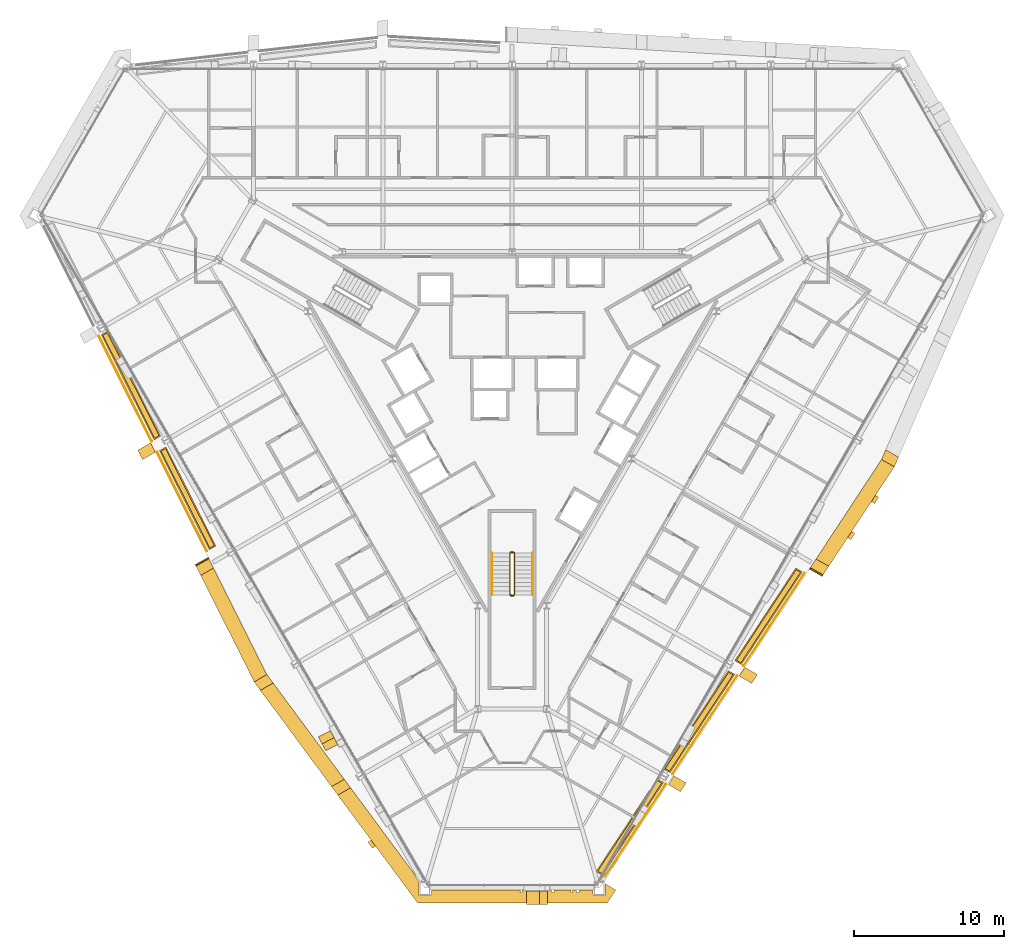
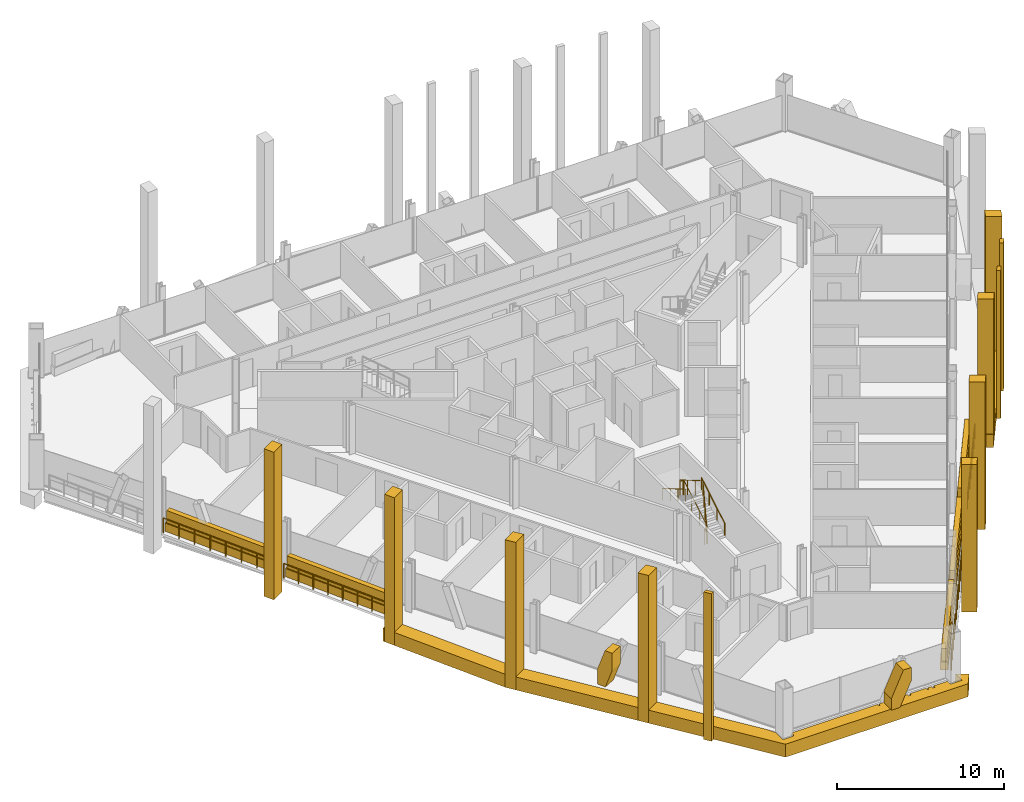
# One storey, part 17 of 19: 29 coverings, 8 railings.
"""IFC4 building model written with IfcOpenShell, lengths in metres."""

from ifc_helpers import new_model, si_unit, direction, frame, origin, origin_2d, place, context, subcontext, project, spatial, polyline, circle, outline, extrude, material, layer, layer_set, type_object, element, save


model = new_model("IFC4")

# Units and contexts
model_context = context("Model", 3, precision=1e-05, world=origin(), true_north=direction((0.0, 1.0)))
body_context = subcontext(model_context, "Body", "Model", "MODEL_VIEW")
ifc_project = project(units=[si_unit("LENGTHUNIT", "METRE"), si_unit("AREAUNIT", "SQUARE_METRE"), si_unit("VOLUMEUNIT", "CUBIC_METRE"), si_unit("PLANEANGLEUNIT", "RADIAN"), si_unit("MASSUNIT", "GRAM", prefix="KILO")], contexts=[model_context])

# Site, building, storey
site_placement = place(None, origin())
site = spatial("IfcSite", under=ifc_project, at=site_placement, CompositionType="ELEMENT")
building_placement = place(site_placement, origin())
building = spatial("IfcBuilding", under=site, at=building_placement, Name="Verrane Prism Tower", CompositionType="ELEMENT")
storey_placement = place(building_placement, frame((0.0, 0.0, 76.39990234375)))
storey = spatial("IfcBuildingStorey", under=building, at=storey_placement, Name="L17", CompositionType="ELEMENT", Elevation=76.39990234375)

# Coverings
ifc_material_1 = material(Name="Planting medium in stone kerb", Category="masonry")
covering_type_1 = type_object("IfcCoveringType", Name="Planter bed 600", PredefinedType="USERDEFINED", material=ifc_material_1)
covering_1_placement = place(storey_placement, origin())
element("IfcCovering", 1, at=covering_1_placement, inside=storey, type_object=covering_type_1, Name="Loggia planter SW2 L17", ObjectType="PLANTER", PredefinedType="USERDEFINED", context=body_context, shape_type="SweptSolid", body=[
    extrude(outline(polyline([(-27.396484375, 3.6552734375), (-23.87744140625, -3.3564453125), (-23.4443359375, -3.1064453125), (-26.96337890625, 3.9052734375), (-27.396484375, 3.6552734375)])), origin(), (0.0, 0.0, 1.0), 0.60009765625),
])
covering_2_placement = place(storey_placement, origin())
element("IfcCovering", 2, at=covering_2_placement, inside=storey, type_object=covering_type_1, Name="Loggia planter SW3 L17", ObjectType="PLANTER", PredefinedType="USERDEFINED", context=body_context, shape_type="SweptSolid", body=[
    extrude(outline(polyline([(-23.517822265625, -4.07275390625), (-20.200927734375, -10.681640625), (-19.76806640625, -10.431640625), (-23.0849609375, -3.82275390625), (-23.517822265625, -4.07275390625)])), origin(), (0.0, 0.0, 1.0), 0.60009765625),
])
covering_3_placement = place(storey_placement, origin())
element("IfcCovering", 3, at=covering_3_placement, inside=storey, type_object=covering_type_1, Name="Loggia planter SE1 L17", ObjectType="PLANTER", PredefinedType="USERDEFINED", context=body_context, shape_type="SweptSolid", body=[
    extrude(outline(polyline([(6.02734375, -32.39990234375), (10.09228515625, -26.222900390625), (9.6591796875, -25.972900390625), (5.59423828125, -32.14990234375), (6.02734375, -32.39990234375)])), origin(), (0.0, 0.0, 1.0), 0.60009765625),
])
covering_4_placement = place(storey_placement, origin())
element("IfcCovering", 4, at=covering_4_placement, inside=storey, type_object=covering_type_1, Name="Loggia planter SE2 L17", ObjectType="PLANTER", PredefinedType="USERDEFINED", context=body_context, shape_type="SweptSolid", body=[
    extrude(outline(polyline([(10.53271484375, -25.5537109375), (14.845458984375, -19.000244140625), (14.41259765625, -18.750244140625), (10.099853515625, -25.3037109375), (10.53271484375, -25.5537109375)])), origin(), (0.0, 0.0, 1.0), 0.60009765625),
])
covering_5_placement = place(storey_placement, origin())
element("IfcCovering", 5, at=covering_5_placement, inside=storey, type_object=covering_type_1, Name="Loggia planter SE3 L17", ObjectType="PLANTER", PredefinedType="USERDEFINED", context=body_context, shape_type="SweptSolid", body=[
    extrude(outline(polyline([(15.2861328125, -18.330810546875), (19.35107421875, -12.15380859375), (18.91796875, -11.90380859375), (14.85302734375, -18.080810546875), (15.2861328125, -18.330810546875)])), origin(), (0.0, 0.0, 1.0), 0.60009765625),
])
ifc_material_2 = material(Name="Planted shrubs and grasses", Category="other")
covering_type_2 = type_object("IfcCoveringType", Name="Planting mass 1000", PredefinedType="USERDEFINED", material=ifc_material_2)
covering_6_placement = place(storey_placement, frame((0.0, 0.0, 0.60009765625)))
element("IfcCovering", 6, at=covering_6_placement, inside=storey, type_object=covering_type_2, Name="Loggia planting SW2 L17", ObjectType="PLANTING", PredefinedType="USERDEFINED", context=body_context, shape_type="SweptSolid", body=[
    extrude(outline(polyline([(-23.843994140625, -3.244873046875), (-23.5498046875, -3.074951171875), (-26.996826171875, 3.79345703125), (-27.291015625, 3.62353515625), (-23.843994140625, -3.244873046875)])), origin(), (0.0, 0.0, 1.0), 0.89990234375),
])
covering_7_placement = place(storey_placement, frame((0.0, 0.0, 0.60009765625)))
element("IfcCovering", 7, at=covering_7_placement, inside=storey, type_object=covering_type_2, Name="Loggia planting SW3 L17", ObjectType="PLANTING", PredefinedType="USERDEFINED", context=body_context, shape_type="SweptSolid", body=[
    extrude(outline(polyline([(-20.16748046875, -10.56982421875), (-19.873291015625, -10.39990234375), (-23.118408203125, -3.9345703125), (-23.41259765625, -4.1044921875), (-20.16748046875, -10.56982421875)])), origin(), (0.0, 0.0, 1.0), 0.89990234375),
])
covering_8_placement = place(storey_placement, frame((0.0, 0.0, 0.60009765625)))
element("IfcCovering", 8, at=covering_8_placement, inside=storey, type_object=covering_type_2, Name="Loggia planting SE1 L17", ObjectType="PLANTING", PredefinedType="USERDEFINED", context=body_context, shape_type="SweptSolid", body=[
    extrude(outline(polyline([(9.978759765625, -26.25), (9.6845703125, -26.080078125), (5.707763671875, -32.123046875), (6.001953125, -32.29296875), (9.978759765625, -26.25)])), origin(), (0.0, 0.0, 1.0), 0.89990234375),
])
covering_9_placement = place(storey_placement, frame((0.0, 0.0, 0.60009765625)))
element("IfcCovering", 9, at=covering_9_placement, inside=storey, type_object=covering_type_2, Name="Loggia planting SE2 L17", ObjectType="PLANTING", PredefinedType="USERDEFINED", context=body_context, shape_type="SweptSolid", body=[
    extrude(outline(polyline([(14.73193359375, -19.027099609375), (14.437744140625, -18.857177734375), (10.21337890625, -25.276611328125), (10.507568359375, -25.446533203125), (14.73193359375, -19.027099609375)])), origin(), (0.0, 0.0, 1.0), 0.89990234375),
])
covering_10_placement = place(storey_placement, frame((0.0, 0.0, 0.60009765625)))
element("IfcCovering", 10, at=covering_10_placement, inside=storey, type_object=covering_type_2, Name="Loggia planting SE3 L17", ObjectType="PLANTING", PredefinedType="USERDEFINED", context=body_context, shape_type="SweptSolid", body=[
    extrude(outline(polyline([(19.237548828125, -12.1806640625), (18.943359375, -12.0107421875), (14.966552734375, -18.0537109375), (15.2607421875, -18.2236328125), (19.237548828125, -12.1806640625)])), origin(), (0.0, 0.0, 1.0), 0.89990234375),
])

# Railings
ifc_material_3 = material(Name="Steel A36 rail and posts, no infill", Category="steel")
railing_type_1 = type_object("IfcRailingType", Name="Stair guard 1100 steel rail and posts", PredefinedType="GUARDRAIL", material=ifc_material_3)
railing_1_placement = place(storey_placement, frame((0.14990234375, -13.699951171875, 0.163818359375)))
element("IfcRailing", 11, at=railing_1_placement, inside=storey, type_object=railing_type_1, Name="Stair 3 guard", PredefinedType="GUARDRAIL", context=body_context, shape_type="SweptSolid", body=[
    extrude(circle(Radius=0.02392578125, at=origin_2d()), frame((0.0, 0.0, 1.076171875), z_axis=(0.0, 0.863393664356, 0.504530851732), x_axis=(-1.0, 0.0, 0.0)), (0.0, 0.0, 1.0), 3.2431640625),
    extrude(circle(Radius=0.02392578125, at=origin_2d()), frame((0.0, 2.800048828125, 2.71240234375), z_axis=(-0.707106781187, 0.707106781187, 0.0), x_axis=(-0.707106781187, -0.707106781187, 0.0)), (0.0, 0.0, 1.0), 0.0703125),
    extrude(circle(Radius=0.02392578125, at=origin_2d()), frame((-0.0498046875, 2.849853515625, 2.71240234375), z_axis=(-1.0, 0.0, 0.0), x_axis=(0.0, -1.0, 0.0)), (0.0, 0.0, 1.0), 0.2001953125),
    extrude(circle(Radius=0.02392578125, at=origin_2d()), frame((-0.25, 2.849853515625, 2.71240234375), z_axis=(-0.279653641804, -0.279653641804, 0.918470294159), x_axis=(0.707106781187, -0.707106781187, 0.0)), (0.0, 0.0, 1.0), 0.177978515625),
    extrude(circle(Radius=0.02392578125, at=origin_2d()), frame((-0.2998046875, 2.800048828125, 2.8759765625), z_axis=(0.0, -0.863360870873, 0.504586966384), x_axis=(1.0, 0.0, 0.0)), (0.0, 0.0, 1.0), 3.2431640625),
    extrude(circle(Radius=0.02392578125, at=origin_2d()), frame((-0.2998046875, 0.0, 4.51220703125), z_axis=(0.069269067181, -0.013867342551, -0.997501625634), x_axis=(0.196300278283, 0.98054382908, 0.0)), (0.0, 0.0, 1.0), 3.609130859375),
    extrude(circle(Radius=0.02392578125, at=origin_2d()), frame((-0.0498046875, -0.050048828125, 0.912109375), z_axis=(-1.0, 0.0, 0.0), x_axis=(0.0, -1.0, 0.0)), (0.0, 0.0, 1.0), 0.2001953125),
    extrude(circle(Radius=0.02099609375, at=origin_2d()), origin(), (0.0, 0.0, 1.0), 1.052001953125),
    extrude(circle(Radius=0.02099609375, at=origin_2d()), frame((0.0, 0.933349609375, 0.54541015625)), (0.0, 0.0, 1.0), 1.052001953125),
    extrude(circle(Radius=0.02099609375, at=origin_2d()), frame((0.0, 1.86669921875, 1.0908203125)), (0.0, 0.0, 1.0), 1.052001953125),
    extrude(circle(Radius=0.02099609375, at=origin_2d()), frame((0.0, 2.800048828125, 1.63623046875)), (0.0, 0.0, 1.0), 1.052001953125),
    extrude(circle(Radius=0.02099609375, at=origin_2d()), frame((-0.0498046875, 2.849853515625, 1.63623046875)), (0.0, 0.0, 1.0), 1.052001953125),
    extrude(circle(Radius=0.02099609375, at=origin_2d()), frame((-0.25, 2.849853515625, 1.63623046875)), (0.0, 0.0, 1.0), 1.052001953125),
    extrude(circle(Radius=0.02099609375, at=origin_2d()), frame((-0.2998046875, 2.800048828125, 1.7998046875)), (0.0, 0.0, 1.0), 1.052001953125),
    extrude(circle(Radius=0.02099609375, at=origin_2d()), frame((-0.2998046875, 1.86669921875, 2.34521484375)), (0.0, 0.0, 1.0), 1.052001953125),
    extrude(circle(Radius=0.02099609375, at=origin_2d()), frame((-0.2998046875, 0.933349609375, 2.890869140625)), (0.0, 0.0, 1.0), 1.052001953125),
    extrude(circle(Radius=0.02099609375, at=origin_2d()), frame((-0.2998046875, 0.0, 3.436279296875)), (0.0, 0.0, 1.0), 1.052001953125),
    extrude(circle(Radius=0.02099609375, at=origin_2d()), frame((-0.2373046875, -0.012451171875, 2.5361328125)), (0.0, 0.0, 1.0), 1.052001953125),
    extrude(circle(Radius=0.02099609375, at=origin_2d()), frame((-0.1748046875, -0.02490234375, 1.63623046875)), (0.0, 0.0, 1.0), 1.052001953125),
    extrude(circle(Radius=0.02099609375, at=origin_2d()), frame((-0.1123046875, -0.03759765625, 0.736328125)), (0.0, 0.0, 1.0), 1.052001953125),
    extrude(circle(Radius=0.02099609375, at=origin_2d()), frame((-0.0498046875, -0.050048828125, -0.163818359375)), (0.0, 0.0, 1.0), 1.052001953125),
    extrude(circle(Radius=0.02099609375, at=origin_2d()), frame((-0.25, -0.050048828125, -0.163818359375)), (0.0, 0.0, 1.0), 1.052001953125),
])
ifc_material_4 = material(Name="Steel A36 tube", Category="steel")
railing_type_2 = type_object("IfcRailingType", Name="Stair handrail 900 steel tube", PredefinedType="HANDRAIL", material=ifc_material_4)
railing_2_placement = place(storey_placement, frame((1.35009765625, -13.699951171875, 0.163818359375)))
element("IfcRailing", 12, at=railing_2_placement, inside=storey, type_object=railing_type_2, Name="Stair 3 handrail", PredefinedType="HANDRAIL", context=body_context, shape_type="SweptSolid", body=[
    extrude(circle(Radius=0.02392578125, at=origin_2d()), frame((0.0, 0.0, 0.8759765625), z_axis=(0.0, 0.863393664356, 0.504530851732), x_axis=(-1.0, 0.0, 0.0)), (0.0, 0.0, 1.0), 3.2431640625),
    extrude(circle(Radius=0.02099609375, at=origin_2d()), origin(), (0.0, 0.0, 1.0), 0.851806640625),
    extrude(circle(Radius=0.02099609375, at=origin_2d()), frame((0.0, 0.933349609375, 0.54541015625)), (0.0, 0.0, 1.0), 0.851806640625),
    extrude(circle(Radius=0.02099609375, at=origin_2d()), frame((0.0, 1.86669921875, 1.0908203125)), (0.0, 0.0, 1.0), 0.851806640625),
    extrude(circle(Radius=0.02099609375, at=origin_2d()), frame((0.0, 2.800048828125, 1.63623046875)), (0.0, 0.0, 1.0), 0.851806640625),
])
railing_3_placement = place(storey_placement, frame((-1.35009765625, -10.89990234375, 1.963623046875)))
element("IfcRailing", 13, at=railing_3_placement, inside=storey, type_object=railing_type_2, Name="Stair 3 handrail", PredefinedType="HANDRAIL", context=body_context, shape_type="SweptSolid", body=[
    extrude(circle(Radius=0.02392578125, at=origin_2d()), frame((0.0, 0.0, 0.8759765625), z_axis=(0.0, -0.863360870873, 0.504586966384), x_axis=(1.0, 0.0, 0.0)), (0.0, 0.0, 1.0), 3.2431640625),
    extrude(circle(Radius=0.02099609375, at=origin_2d()), origin(), (0.0, 0.0, 1.0), 0.851806640625),
    extrude(circle(Radius=0.02099609375, at=origin_2d()), frame((0.0, -0.933349609375, 0.54541015625)), (0.0, 0.0, 1.0), 0.851806640625),
    extrude(circle(Radius=0.02099609375, at=origin_2d()), frame((0.0, -1.86669921875, 1.091064453125)), (0.0, 0.0, 1.0), 0.851806640625),
    extrude(circle(Radius=0.02099609375, at=origin_2d()), frame((0.0, -2.800048828125, 1.636474609375)), (0.0, 0.0, 1.0), 0.851806640625),
])

# Coverings
ifc_material_5 = material(Name="Warm limestone cladding", Category="masonry")
ifc_layer_1 = layer(ifc_material_5, 0.89990234375)
ifc_layer_set_1 = layer_set([ifc_layer_1], Name="Stone brace fin 900")
covering_type_3 = type_object("IfcCoveringType", Name="Stone brace fin 900", PredefinedType="CLADDING", material=ifc_layer_set_1)
covering_11_placement = place(storey_placement, frame((-12.52001953125, -22.956787109375, 0.0), z_axis=(0.0, 0.0, 1.0), x_axis=(0.45783351905, -0.889037945666, 0.0)))
element("IfcCovering", 14, at=covering_11_placement, inside=storey, type_object=covering_type_3, Name="Stone brace fin SW5 L17", PredefinedType="CLADDING", context=body_context, shape_type="SweptSolid", body=[
    extrude(outline(polyline([(1.04541015625, 2.650146484375), (0.52880859375, 2.650146484375), (0.0, 1.12841796875), (0.0, 0.0), (0.560791015625, 0.0), (1.04541015625, 1.394775390625), (1.04541015625, 2.650146484375)])), frame((0.0, 0.449951171875, 0.0), z_axis=(0.0, -1.0, 0.0), x_axis=(1.0, 0.0, 0.0)), (0.0, 0.0, 1.0), 0.89990234375),
])
covering_12_placement = place(storey_placement, frame((0.96923828125, -33.8876953125, 0.0), z_axis=(0.0, 0.0, 1.0), x_axis=(1.0, 0.0, 0.0)))
element("IfcCovering", 15, at=covering_12_placement, inside=storey, type_object=covering_type_3, Name="Stone brace fin S1 L17", PredefinedType="CLADDING", context=body_context, shape_type="SweptSolid", body=[
    extrude(outline(polyline([(1.38720703125, 2.650146484375), (0.841552734375, 2.650146484375), (0.0, 0.828125), (0.0, 0.0), (0.60888671875, 0.0), (1.38720703125, 1.684814453125), (1.38720703125, 2.650146484375)])), frame((0.0, 0.449951171875, 0.0), z_axis=(0.0, -1.0, 0.0), x_axis=(1.0, 0.0, 0.0)), (0.0, 0.0, 1.0), 0.89990234375),
])
ifc_material_6 = material(Name="Warm limestone cladding", Category="masonry")
covering_type_4 = type_object("IfcCoveringType", Name="Stone mullion pier 500", PredefinedType="CLADDING", material=ifc_material_6)
covering_13_placement = place(storey_placement, frame((0.0, 0.0, -0.949951171875)))
element("IfcCovering", 16, at=covering_13_placement, inside=storey, type_object=covering_type_4, Name="Stone pier SM-SW5.1 L17-L19", PredefinedType="CLADDING", context=body_context, shape_type="SweptSolid", body=[
    extrude(outline(polyline([(-9.1044921875, -30.463134765625), (-9.403564453125, -30.05859375), (-9.62158203125, -30.184326171875), (-9.322265625, -30.5888671875), (-9.1044921875, -30.463134765625)])), origin(), (0.0, 0.0, 1.0), 10.800048828125),
])
covering_14_placement = place(storey_placement, frame((0.0, 0.0, -0.949951171875)))
element("IfcCovering", 17, at=covering_14_placement, inside=storey, type_object=covering_type_4, Name="Stone pier SM-SE3.1 L17-L19", PredefinedType="CLADDING", context=body_context, shape_type="SweptSolid", body=[
    extrude(outline(polyline([(22.6494140625, -9.465576171875), (22.374267578125, -9.884033203125), (22.591064453125, -10.00927734375), (22.866455078125, -9.5908203125), (22.6494140625, -9.465576171875)])), origin(), (0.0, 0.0, 1.0), 10.800048828125),
])
covering_15_placement = place(storey_placement, frame((0.0, 0.0, -0.949951171875)))
element("IfcCovering", 18, at=covering_15_placement, inside=storey, type_object=covering_type_4, Name="Stone pier SM-SE3.2 L17-L19", PredefinedType="CLADDING", context=body_context, shape_type="SweptSolid", body=[
    extrude(outline(polyline([(24.23388671875, -7.05810546875), (23.95849609375, -7.476318359375), (24.175537109375, -7.6015625), (24.45068359375, -7.18310546875), (24.23388671875, -7.05810546875)])), origin(), (0.0, 0.0, 1.0), 10.800048828125),
])
ifc_material_7 = material(Name="Warm limestone cladding", Category="masonry")
covering_type_5 = type_object("IfcCoveringType", Name="Stone pier 700", PredefinedType="CLADDING", material=ifc_material_7)
covering_16_placement = place(storey_placement, frame((0.0, 0.0, -0.949951171875)))
element("IfcCovering", 19, at=covering_16_placement, inside=storey, type_object=covering_type_5, Name="Stone pier PC-SW2 L17-L19", PredefinedType="CLADDING", context=body_context, shape_type="SweptSolid", body=[
    extrude(outline(polyline([(-24.648681640625, -4.66796875), (-23.80029296875, -4.177978515625), (-24.11474609375, -3.55126953125), (-24.963134765625, -4.041259765625), (-24.648681640625, -4.66796875)])), origin(), (0.0, 0.0, 1.0), 10.800048828125),
])
covering_17_placement = place(storey_placement, frame((0.0, 0.0, -0.949951171875)))
element("IfcCovering", 20, at=covering_17_placement, inside=storey, type_object=covering_type_5, Name="Stone pier PC-SW3 L17-L19", PredefinedType="CLADDING", context=body_context, shape_type="SweptSolid", body=[
    extrude(outline(polyline([(-20.770263671875, -12.395751953125), (-19.921630859375, -11.906005859375), (-20.236083984375, -11.279296875), (-21.084716796875, -11.76904296875), (-20.770263671875, -12.395751953125)])), origin(), (0.0, 0.0, 1.0), 10.800048828125),
])
covering_18_placement = place(storey_placement, frame((0.0, 0.0, -0.949951171875)))
element("IfcCovering", 21, at=covering_18_placement, inside=storey, type_object=covering_type_5, Name="Stone pier PC-SW4 L17-L19", PredefinedType="CLADDING", context=body_context, shape_type="SweptSolid", body=[
    extrude(outline(polyline([(-16.7919921875, -20.066162109375), (-15.939453125, -19.573974609375), (-16.35546875, -19.011474609375), (-16.357666015625, -19.007080078125), (-17.2060546875, -19.4970703125), (-17.19189453125, -19.525390625), (-16.7919921875, -20.066162109375)])), origin(), (0.0, 0.0, 1.0), 10.800048828125),
])
covering_19_placement = place(storey_placement, frame((0.0, 0.0, -0.949951171875)))
element("IfcCovering", 22, at=covering_19_placement, inside=storey, type_object=covering_type_5, Name="Stone pier PC-SW5 L17-L19", PredefinedType="CLADDING", context=body_context, shape_type="SweptSolid", body=[
    extrude(outline(polyline([(-11.626953125, -27.051513671875), (-10.7744140625, -26.55908203125), (-11.193359375, -25.992919921875), (-12.0458984375, -26.485107421875), (-11.626953125, -27.051513671875)])), origin(), (0.0, 0.0, 1.0), 10.800048828125),
])
covering_20_placement = place(storey_placement, frame((0.0, 0.0, -0.949951171875)))
element("IfcCovering", 23, at=covering_20_placement, inside=storey, type_object=covering_type_5, Name="Stone pier PC-SE1 L17-L19", PredefinedType="CLADDING", context=body_context, shape_type="SweptSolid", body=[
    extrude(outline(polyline([(10.7802734375, -25.754150390625), (10.605224609375, -26.057373046875), (10.43017578125, -26.3603515625), (11.22802734375, -26.821044921875), (11.613525390625, -26.2353515625), (10.7802734375, -25.754150390625)])), origin(), (0.0, 0.0, 1.0), 10.800048828125),
])
covering_21_placement = place(storey_placement, frame((0.0, 0.0, -0.949951171875)))
element("IfcCovering", 24, at=covering_21_placement, inside=storey, type_object=covering_type_5, Name="Stone pier PC-SE2 L17-L19", PredefinedType="CLADDING", context=body_context, shape_type="SweptSolid", body=[
    extrude(outline(polyline([(16.36669921875, -19.012451171875), (15.518310546875, -18.522705078125), (15.1328125, -19.1083984375), (15.9814453125, -19.59814453125), (16.36669921875, -19.012451171875)])), origin(), (0.0, 0.0, 1.0), 10.800048828125),
])
covering_22_placement = place(storey_placement, frame((0.0, 0.0, -0.949951171875)))
element("IfcCovering", 25, at=covering_22_placement, inside=storey, type_object=covering_type_5, Name="Stone pier PC-SE3 L17-L19", PredefinedType="CLADDING", context=body_context, shape_type="SweptSolid", body=[
    extrude(outline(polyline([(21.1201171875, -11.78955078125), (20.271728515625, -11.2998046875), (19.88623046875, -11.885498046875), (20.734619140625, -12.375244140625), (21.1201171875, -11.78955078125)])), origin(), (0.0, 0.0, 1.0), 10.800048828125),
])
covering_23_placement = place(storey_placement, frame((0.0, 0.0, -0.949951171875)))
element("IfcCovering", 26, at=covering_23_placement, inside=storey, type_object=covering_type_5, Name="Stone pier PC-SE4 L17-L19", PredefinedType="CLADDING", context=body_context, shape_type="SweptSolid", body=[
    extrude(outline(polyline([(25.77392578125, -4.50927734375), (24.92138671875, -4.01708984375), (24.64208984375, -4.65869140625), (24.639404296875, -4.66259765625), (25.488037109375, -5.15234375), (25.50537109375, -5.1259765625), (25.77392578125, -4.50927734375)])), origin(), (0.0, 0.0, 1.0), 10.800048828125),
])
ifc_material_8 = material(Name="Warm limestone cladding", Category="masonry")
ifc_layer_2 = layer(ifc_material_8, 0.449951171875)
ifc_layer_set_2 = layer_set([ifc_layer_2], Name="Stone spandrel band 450")
covering_type_6 = type_object("IfcCoveringType", Name="Stone spandrel band 450", PredefinedType="CLADDING", material=ifc_layer_set_2)
covering_24_placement = place(storey_placement, frame((0.0, 0.0, -0.949951171875)))
element("IfcCovering", 27, at=covering_24_placement, inside=storey, type_object=covering_type_6, Name="Stone spandrel band L17 part 2", PredefinedType="CLADDING", context=body_context, shape_type="SweptSolid", body=[
    extrude(outline(polyline([(6.34619140625, -34.2392578125), (6.915283203125, -33.37451171875), (6.199951171875, -32.961669921875), (6.199951171875, -33.739990234375), (5.43994140625, -33.739990234375), (5.43994140625, -33.718017578125), (5.392822265625, -33.634521484375), (5.392822265625, -33.39453125), (4.446533203125, -33.39453125), (4.446533203125, -33.56005859375), (4.291259765625, -33.56005859375), (4.291259765625, -33.39453125), (4.019287109375, -33.39453125), (4.019287109375, -33.56005859375), (3.923095703125, -33.56005859375), (3.923095703125, -33.39453125), (2.79150390625, -33.39453125), (2.79150390625, -33.56005859375), (2.632080078125, -33.56005859375), (2.632080078125, -33.39453125), (2.3564453125, -33.39453125), (2.3564453125, -33.56005859375), (2.26025390625, -33.56005859375), (2.26025390625, -33.39453125), (1.128662109375, -33.39453125), (1.128662109375, -33.56005859375), (0.96923828125, -33.56005859375), (0.96923828125, -33.39453125), (0.666015625, -33.39453125), (0.63134765625, -33.552978515625), (0.53662109375, -33.5322265625), (0.56689453125, -33.39453125), (-5.392822265625, -33.39453125), (-5.392822265625, -33.634521484375), (-5.43994140625, -33.718017578125), (-5.43994140625, -33.739990234375), (-6.199951171875, -33.739990234375), (-6.199951171875, -32.867919921875), (-6.521484375, -32.31103515625), (-10.7744140625, -26.55908203125), (-11.626953125, -27.051513671875), (-6.312255859375, -34.2392578125), (6.34619140625, -34.2392578125)])), origin(), (0.0, 0.0, 1.0), 0.949951171875),
])
covering_25_placement = place(storey_placement, frame((0.0, 0.0, -0.949951171875)))
element("IfcCovering", 28, at=covering_25_placement, inside=storey, type_object=covering_type_6, Name="Stone spandrel band L17 part 4", PredefinedType="CLADDING", context=body_context, shape_type="SweptSolid", body=[
    extrude(outline(polyline([(-20.770263671875, -12.395751953125), (-17.2060546875, -19.4970703125), (-16.357666015625, -19.007080078125), (-19.921630859375, -11.906005859375), (-20.770263671875, -12.395751953125)])), origin(), (0.0, 0.0, 1.0), 0.949951171875),
])
covering_26_placement = place(storey_placement, frame((0.0, 0.0, -0.949951171875)))
element("IfcCovering", 29, at=covering_26_placement, inside=storey, type_object=covering_type_6, Name="Stone spandrel band L17 part 5", PredefinedType="CLADDING", context=body_context, shape_type="SweptSolid", body=[
    extrude(outline(polyline([(-16.7919921875, -20.066162109375), (-12.0458984375, -26.485107421875), (-11.193359375, -25.992919921875), (-15.939453125, -19.573974609375), (-16.7919921875, -20.066162109375)])), origin(), (0.0, 0.0, 1.0), 0.949951171875),
])
covering_27_placement = place(storey_placement, frame((0.0, 0.0, -0.949951171875)))
element("IfcCovering", 30, at=covering_27_placement, inside=storey, type_object=covering_type_6, Name="Stone spandrel band L17 part 6", PredefinedType="CLADDING", context=body_context, shape_type="SweptSolid", body=[
    extrude(outline(polyline([(24.639404296875, -4.66259765625), (20.271728515625, -11.2998046875), (21.1201171875, -11.78955078125), (25.488037109375, -5.15234375), (24.639404296875, -4.66259765625)])), origin(), (0.0, 0.0, 1.0), 0.949951171875),
])
covering_28_placement = place(storey_placement, frame((0.0, 0.0, -0.949951171875)))
element("IfcCovering", 31, at=covering_28_placement, inside=storey, type_object=covering_type_6, Name="Stone spandrel band L17 part 9", PredefinedType="CLADDING", context=body_context, shape_type="SweptSolid", body=[
    extrude(outline(polyline([(-20.281005859375, -11.189697265625), (-21.129638671875, -11.6796875), (-21.084716796875, -11.76904296875), (-20.236083984375, -11.279296875), (-20.281005859375, -11.189697265625)])), origin(), (0.0, 0.0, 1.0), 0.949951171875),
])
covering_29_placement = place(storey_placement, frame((0.0, 0.0, -0.949951171875)))
element("IfcCovering", 32, at=covering_29_placement, inside=storey, type_object=covering_type_6, Name="Stone spandrel band L17 part 10", PredefinedType="CLADDING", context=body_context, shape_type="SweptSolid", body=[
    extrude(outline(polyline([(19.8310546875, -11.968994140625), (20.6796875, -12.458984375), (20.734619140625, -12.375244140625), (19.88623046875, -11.885498046875), (19.8310546875, -11.968994140625)])), origin(), (0.0, 0.0, 1.0), 0.949951171875),
])

# Railings
ifc_material_9 = material(Name="Stainless steel and laminated glass", Category="steel")
railing_type_3 = type_object("IfcRailingType", Name="Terrace guard 1100", PredefinedType="GUARDRAIL", material=ifc_material_9)
railing_4_placement = place(storey_placement, frame((-27.55224609375, 3.565185546875, 0.0)))
element("IfcRailing", 33, at=railing_4_placement, inside=storey, type_object=railing_type_3, Name="Loggia guard SW2 L17", PredefinedType="GUARDRAIL", context=body_context, shape_type="SweptSolid", body=[
    extrude(circle(Radius=0.02392578125, at=origin_2d()), frame((0.0, 0.0, 1.076171875), z_axis=(0.448557455684, -0.893753998005, 0.0), x_axis=(0.893753998005, 0.448557455684, 0.0)), (0.0, 0.0, 1.0), 7.84521484375),
    extrude(circle(Radius=0.02099609375, at=origin_2d()), origin(), (0.0, 0.0, 1.0), 1.052001953125),
    extrude(circle(Radius=0.02099609375, at=origin_2d()), frame((0.502685546875, -1.001708984375, 0.0)), (0.0, 0.0, 1.0), 1.052001953125),
    extrude(circle(Radius=0.02099609375, at=origin_2d()), frame((1.00537109375, -2.00341796875, 0.0)), (0.0, 0.0, 1.0), 1.052001953125),
    extrude(circle(Radius=0.02099609375, at=origin_2d()), frame((1.508056640625, -3.005126953125, 0.0)), (0.0, 0.0, 1.0), 1.052001953125),
    extrude(circle(Radius=0.02099609375, at=origin_2d()), frame((2.010986328125, -4.006591796875, 0.0)), (0.0, 0.0, 1.0), 1.052001953125),
    extrude(circle(Radius=0.02099609375, at=origin_2d()), frame((2.513671875, -5.00830078125, 0.0)), (0.0, 0.0, 1.0), 1.052001953125),
    extrude(circle(Radius=0.02099609375, at=origin_2d()), frame((3.016357421875, -6.010009765625, 0.0)), (0.0, 0.0, 1.0), 1.052001953125),
    extrude(circle(Radius=0.02099609375, at=origin_2d()), frame((3.51904296875, -7.01171875, 0.0)), (0.0, 0.0, 1.0), 1.052001953125),
])
railing_5_placement = place(storey_placement, frame((-23.673828125, -4.162841796875, 0.0)))
element("IfcRailing", 34, at=railing_5_placement, inside=storey, type_object=railing_type_3, Name="Loggia guard SW3 L17", PredefinedType="GUARDRAIL", context=body_context, shape_type="SweptSolid", body=[
    extrude(circle(Radius=0.02392578125, at=origin_2d()), frame((0.0, 0.0, 1.076171875), z_axis=(0.448573392117, -0.893745999647, 0.0), x_axis=(0.893745999647, 0.448573392117, 0.0)), (0.0, 0.0, 1.0), 7.394287109375),
    extrude(circle(Radius=0.02099609375, at=origin_2d()), origin(), (0.0, 0.0, 1.0), 1.052001953125),
    extrude(circle(Radius=0.02099609375, at=origin_2d()), frame((0.473876953125, -0.944091796875, 0.0)), (0.0, 0.0, 1.0), 1.052001953125),
    extrude(circle(Radius=0.02099609375, at=origin_2d()), frame((0.94775390625, -1.88818359375, 0.0)), (0.0, 0.0, 1.0), 1.052001953125),
    extrude(circle(Radius=0.02099609375, at=origin_2d()), frame((1.421630859375, -2.832275390625, 0.0)), (0.0, 0.0, 1.0), 1.052001953125),
    extrude(circle(Radius=0.02099609375, at=origin_2d()), frame((1.895263671875, -3.7763671875, 0.0)), (0.0, 0.0, 1.0), 1.052001953125),
    extrude(circle(Radius=0.02099609375, at=origin_2d()), frame((2.369140625, -4.720458984375, 0.0)), (0.0, 0.0, 1.0), 1.052001953125),
    extrude(circle(Radius=0.02099609375, at=origin_2d()), frame((2.843017578125, -5.66455078125, 0.0)), (0.0, 0.0, 1.0), 1.052001953125),
    extrude(circle(Radius=0.02099609375, at=origin_2d()), frame((3.31689453125, -6.608642578125, 0.0)), (0.0, 0.0, 1.0), 1.052001953125),
])
railing_6_placement = place(storey_placement, frame((6.18310546875, -32.489990234375, 0.0)))
element("IfcRailing", 35, at=railing_6_placement, inside=storey, type_object=railing_type_3, Name="Loggia guard SE1 L17", PredefinedType="GUARDRAIL", context=body_context, shape_type="SweptSolid", body=[
    extrude(circle(Radius=0.02392578125, at=origin_2d()), frame((0.0, 0.0, 1.076171875), z_axis=(0.5497226154, 0.835347260795, 0.0), x_axis=(-0.835347260795, 0.5497226154, 0.0)), (0.0, 0.0, 1.0), 7.39453125),
    extrude(circle(Radius=0.02099609375, at=origin_2d()), origin(), (0.0, 0.0, 1.0), 1.052001953125),
    extrude(circle(Radius=0.02099609375, at=origin_2d()), frame((0.580810546875, 0.88232421875, 0.0)), (0.0, 0.0, 1.0), 1.052001953125),
    extrude(circle(Radius=0.02099609375, at=origin_2d()), frame((1.161376953125, 1.764892578125, 0.0)), (0.0, 0.0, 1.0), 1.052001953125),
    extrude(circle(Radius=0.02099609375, at=origin_2d()), frame((1.7421875, 2.647216796875, 0.0)), (0.0, 0.0, 1.0), 1.052001953125),
    extrude(circle(Radius=0.02099609375, at=origin_2d()), frame((2.32275390625, 3.52978515625, 0.0)), (0.0, 0.0, 1.0), 1.052001953125),
    extrude(circle(Radius=0.02099609375, at=origin_2d()), frame((2.903564453125, 4.412109375, 0.0)), (0.0, 0.0, 1.0), 1.052001953125),
    extrude(circle(Radius=0.02099609375, at=origin_2d()), frame((3.484130859375, 5.294677734375, 0.0)), (0.0, 0.0, 1.0), 1.052001953125),
    extrude(circle(Radius=0.02099609375, at=origin_2d()), frame((4.06494140625, 6.177001953125, 0.0)), (0.0, 0.0, 1.0), 1.052001953125),
])
railing_7_placement = place(storey_placement, frame((10.688720703125, -25.6435546875, 0.0)))
element("IfcRailing", 36, at=railing_7_placement, inside=storey, type_object=railing_type_3, Name="Loggia guard SE2 L17", PredefinedType="GUARDRAIL", context=body_context, shape_type="SweptSolid", body=[
    extrude(circle(Radius=0.02392578125, at=origin_2d()), frame((0.0, 0.0, 1.076171875), z_axis=(0.549727949619, 0.835343750445, 0.0), x_axis=(-0.835343750445, 0.549727949619, 0.0)), (0.0, 0.0, 1.0), 7.84521484375),
    extrude(circle(Radius=0.02099609375, at=origin_2d()), origin(), (0.0, 0.0, 1.0), 1.052001953125),
    extrude(circle(Radius=0.02099609375, at=origin_2d()), frame((0.6162109375, 0.936279296875, 0.0)), (0.0, 0.0, 1.0), 1.052001953125),
    extrude(circle(Radius=0.02099609375, at=origin_2d()), frame((1.232177734375, 1.872314453125, 0.0)), (0.0, 0.0, 1.0), 1.052001953125),
    extrude(circle(Radius=0.02099609375, at=origin_2d()), frame((1.848388671875, 2.80859375, 0.0)), (0.0, 0.0, 1.0), 1.052001953125),
    extrude(circle(Radius=0.02099609375, at=origin_2d()), frame((2.46435546875, 3.744873046875, 0.0)), (0.0, 0.0, 1.0), 1.052001953125),
    extrude(circle(Radius=0.02099609375, at=origin_2d()), frame((3.08056640625, 4.68115234375, 0.0)), (0.0, 0.0, 1.0), 1.052001953125),
    extrude(circle(Radius=0.02099609375, at=origin_2d()), frame((3.696533203125, 5.6171875, 0.0)), (0.0, 0.0, 1.0), 1.052001953125),
    extrude(circle(Radius=0.02099609375, at=origin_2d()), frame((4.312744140625, 6.553466796875, 0.0)), (0.0, 0.0, 1.0), 1.052001953125),
])
railing_8_placement = place(storey_placement, frame((15.44189453125, -18.420654296875, 0.0)))
element("IfcRailing", 37, at=railing_8_placement, inside=storey, type_object=railing_type_3, Name="Loggia guard SE3 L17", PredefinedType="GUARDRAIL", context=body_context, shape_type="SweptSolid", body=[
    extrude(circle(Radius=0.02392578125, at=origin_2d()), frame((0.0, 0.0, 1.076171875), z_axis=(0.549737777153, 0.835337283001, 0.0), x_axis=(-0.835337283001, 0.549737777153, 0.0)), (0.0, 0.0, 1.0), 7.394287109375),
    extrude(circle(Radius=0.02099609375, at=origin_2d()), origin(), (0.0, 0.0, 1.0), 1.052001953125),
    extrude(circle(Radius=0.02099609375, at=origin_2d()), frame((0.580810546875, 0.88232421875, 0.0)), (0.0, 0.0, 1.0), 1.052001953125),
    extrude(circle(Radius=0.02099609375, at=origin_2d()), frame((1.161376953125, 1.764892578125, 0.0)), (0.0, 0.0, 1.0), 1.052001953125),
    extrude(circle(Radius=0.02099609375, at=origin_2d()), frame((1.7421875, 2.647216796875, 0.0)), (0.0, 0.0, 1.0), 1.052001953125),
    extrude(circle(Radius=0.02099609375, at=origin_2d()), frame((2.32275390625, 3.529541015625, 0.0)), (0.0, 0.0, 1.0), 1.052001953125),
    extrude(circle(Radius=0.02099609375, at=origin_2d()), frame((2.903564453125, 4.411865234375, 0.0)), (0.0, 0.0, 1.0), 1.052001953125),
    extrude(circle(Radius=0.02099609375, at=origin_2d()), frame((3.484130859375, 5.29443359375, 0.0)), (0.0, 0.0, 1.0), 1.052001953125),
    extrude(circle(Radius=0.02099609375, at=origin_2d()), frame((4.06494140625, 6.1767578125, 0.0)), (0.0, 0.0, 1.0), 1.052001953125),
])

save(model, "model.ifc")
